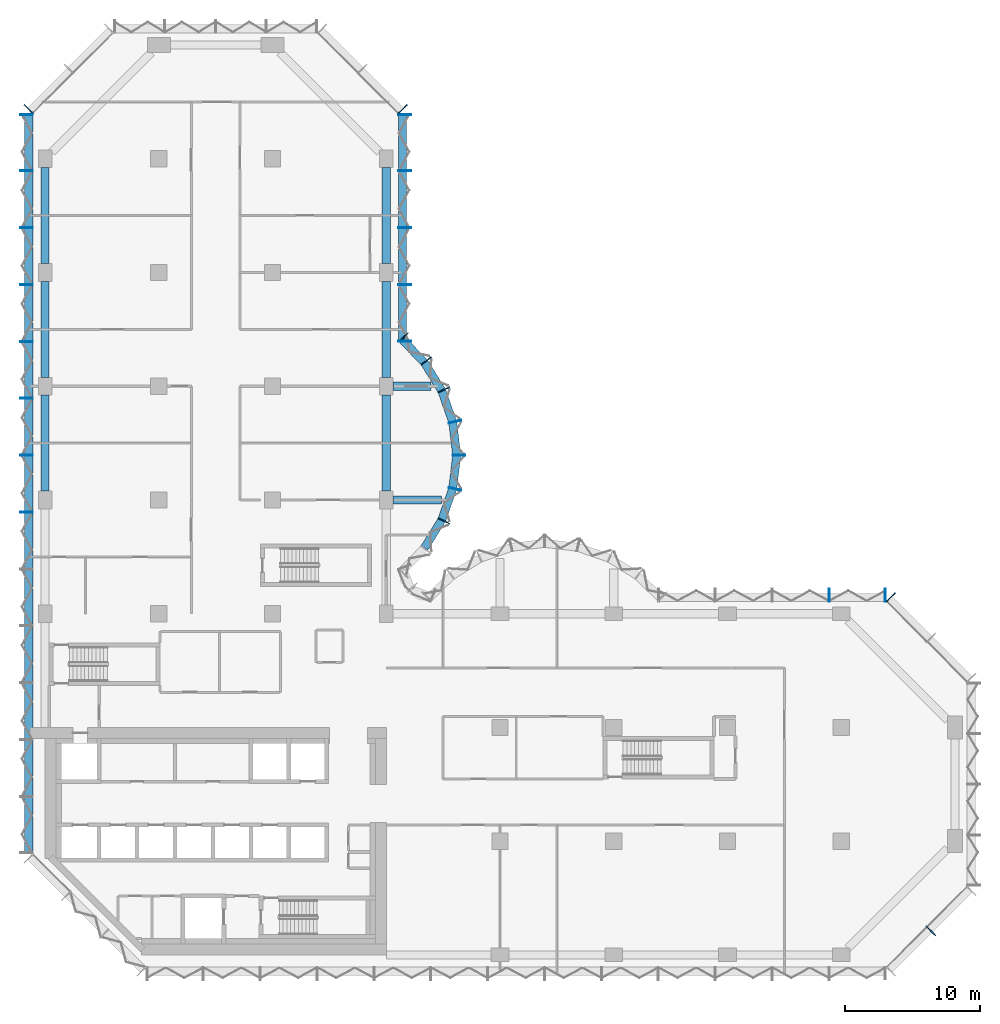
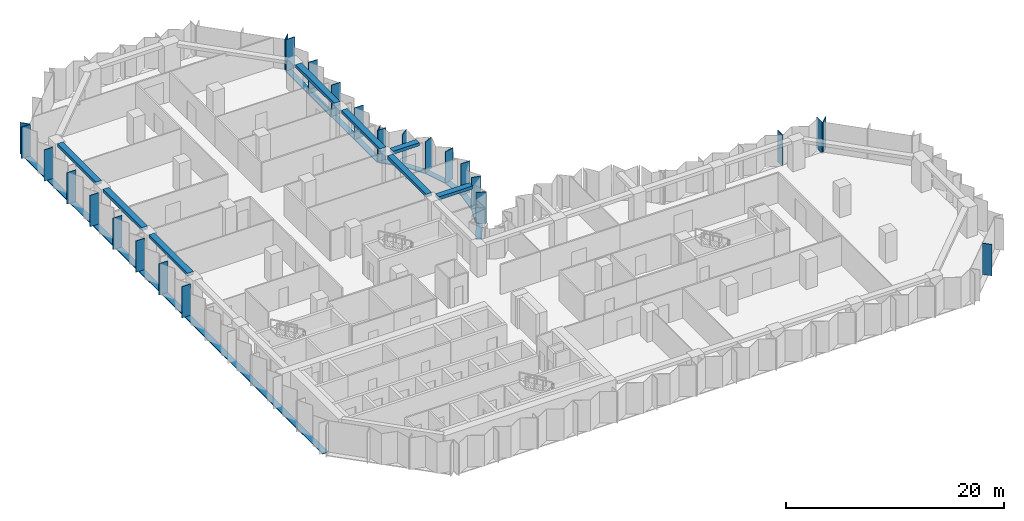
# One storey, part 3 of 13: 35 members, 8 beams, 8 elements without a shape of their own.
"""IFC4 building model written with IfcOpenShell, lengths in metres."""

from ifc_helpers import new_model, si_unit, direction, frame, origin, origin_2d, place, context, subcontext, project, spatial, rectangle, extrude, material, material_profile, profile_set, type_object, element, aggregate, save


model = new_model("IFC4")

# Units and contexts
model_context = context("Model", 3, precision=1e-05, world=origin(), true_north=direction((0.0, 1.0)))
body_context = subcontext(model_context, "Body", "Model", "MODEL_VIEW")
ifc_project = project(units=[si_unit("LENGTHUNIT", "METRE"), si_unit("AREAUNIT", "SQUARE_METRE"), si_unit("VOLUMEUNIT", "CUBIC_METRE"), si_unit("PLANEANGLEUNIT", "RADIAN"), si_unit("MASSUNIT", "GRAM", prefix="KILO")], contexts=[model_context])

# Site, building, storey
site_placement = place(None, origin())
site = spatial("IfcSite", under=ifc_project, at=site_placement, CompositionType="ELEMENT")
building_placement = place(site_placement, origin())
building = spatial("IfcBuilding", under=site, at=building_placement, Name="Brevane Broadcast Tower", CompositionType="ELEMENT")
storey_placement = place(building_placement, frame((0.0, 0.0, 95.300048828125)))
storey = spatial("IfcBuildingStorey", under=building, at=storey_placement, Name="L22", CompositionType="ELEMENT", Elevation=95.300048828125)

# Curtain wall, member
ifc_material_1 = material(Name="Aluminium 6063-T6 bronze anodised", Category="aluminium")
curtain_wall_type = type_object("IfcCurtainWallType", Name="CW-1 curtain wall", PredefinedType="NOTDEFINED", material=ifc_material_1)
curtain_wall_1_placement = place(storey_placement, origin())
curtain_wall_1 = element("IfcCurtainWall", 1, at=curtain_wall_1_placement, inside=storey, type_object=curtain_wall_type, Name="CW-1 typical tilted unit L22 south-east chamfer", PredefinedType="NOTDEFINED")
ifc_material_profile_1 = material_profile(ifc_material_1, rectangle(XDim=0.949951171875, YDim=0.070068359375, at=origin_2d()), Name="RECT 70x950")
ifc_profile_set_1 = profile_set([ifc_material_profile_1], Name="Aluminium 6063-T6 bronze anodised")
member_type_1 = type_object("IfcMemberType", Name="CW-1 mullion 70x950", PredefinedType="MULLION", material=ifc_profile_set_1)
member_1_placement = place(storey_placement, frame((65.435791015625, 1.76416015625, -0.150146484375), z_axis=(0.0, 0.0, 1.0), x_axis=(-0.707106781187, 0.707106781187, 0.0)))
member_1 = element("IfcMember", 2, at=member_1_placement, type_object=member_type_1, Name="CW-1 mullion", PredefinedType="MULLION", context=body_context, shape_type="SweptSolid", body=[
    extrude(rectangle(XDim=0.949951171875, YDim=0.070068359375, at=origin_2d()), origin(), (0.0, 0.0, 1.0), 3.5),
])
aggregate(curtain_wall_1, [member_1])

curtain_wall_2_placement = place(storey_placement, origin())
curtain_wall_2 = element("IfcCurtainWall", 3, at=curtain_wall_2_placement, inside=storey, type_object=curtain_wall_type, Name="CW-1 typical tilted unit L22 north-east chamfer", PredefinedType="NOTDEFINED")
member_2_placement = place(storey_placement, frame((62.460693359375, 26.4111328125, -0.150146484375), z_axis=(0.0, 0.0, 1.0), x_axis=(-0.707106781187, -0.707106781187, 0.0)))
member_2 = element("IfcMember", 4, at=member_2_placement, type_object=member_type_1, Name="CW-1 mullion", PredefinedType="MULLION", context=body_context, shape_type="SweptSolid", body=[
    extrude(rectangle(XDim=0.949951171875, YDim=0.070068359375, at=origin_2d()), origin(), (0.0, 0.0, 1.0), 3.5),
])
aggregate(curtain_wall_2, [member_2])

# Curtain wall, members
curtain_wall_3_placement = place(storey_placement, origin())
curtain_wall_3 = element("IfcCurtainWall", 5, at=curtain_wall_3_placement, inside=storey, type_object=curtain_wall_type, Name="CW-1 typical tilted unit L22 east arm north face", PredefinedType="NOTDEFINED")
member_3_placement = place(storey_placement, frame((62.06494140625, 26.574951171875, -0.150146484375), z_axis=(0.0, 0.0, 1.0), x_axis=(0.0, -1.0, 0.0)))
member_3 = element("IfcMember", 6, at=member_3_placement, type_object=member_type_1, Name="CW-1 mullion", PredefinedType="MULLION", context=body_context, shape_type="SweptSolid", body=[
    extrude(rectangle(XDim=0.949951171875, YDim=0.070068359375, at=origin_2d()), origin(), (0.0, 0.0, 1.0), 3.5),
])
member_4_placement = place(storey_placement, frame((57.89990234375, 26.574951171875, -0.150146484375), z_axis=(0.0, 0.0, 1.0), x_axis=(0.0, -1.0, 0.0)))
member_4 = element("IfcMember", 7, at=member_4_placement, type_object=member_type_1, Name="CW-1 mullion", PredefinedType="MULLION", context=body_context, shape_type="SweptSolid", body=[
    extrude(rectangle(XDim=0.949951171875, YDim=0.070068359375, at=origin_2d()), origin(), (0.0, 0.0, 1.0), 3.5),
])
aggregate(curtain_wall_3, [member_3, member_4])

curtain_wall_4_placement = place(storey_placement, origin())
curtain_wall_4 = element("IfcCurtainWall", 8, at=curtain_wall_4_placement, inside=storey, type_object=curtain_wall_type, Name="CW-1 typical tilted unit L22 north bow", PredefinedType="NOTDEFINED")
member_5_placement = place(storey_placement, frame((29.4580078125, 32.05322265625, -0.150146484375), z_axis=(0.0, 0.0, 1.0), x_axis=(-0.902860508933, 0.429933601163, 0.0)))
member_5 = element("IfcMember", 9, at=member_5_placement, type_object=member_type_1, Name="CW-1 mullion", PredefinedType="MULLION", context=body_context, shape_type="SweptSolid", body=[
    extrude(rectangle(XDim=0.949951171875, YDim=0.070068359375, at=origin_2d()), origin(), (0.0, 0.0, 1.0), 3.5),
])
member_6_placement = place(storey_placement, frame((30.28076171875, 34.411865234375, -0.150146484375), z_axis=(0.0, 0.0, 1.0), x_axis=(-0.974403430594, 0.224806482215, 0.0)))
member_6 = element("IfcMember", 10, at=member_6_placement, type_object=member_type_1, Name="CW-1 mullion", PredefinedType="MULLION", context=body_context, shape_type="SweptSolid", body=[
    extrude(rectangle(XDim=0.949951171875, YDim=0.070068359375, at=origin_2d()), origin(), (0.0, 0.0, 1.0), 3.5),
])
member_7_placement = place(storey_placement, frame((30.574951171875, 36.89990234375, -0.150146484375), z_axis=(0.0, 0.0, 1.0), x_axis=(-1.0, 0.0, 0.0)))
member_7 = element("IfcMember", 11, at=member_7_placement, type_object=member_type_1, Name="CW-1 mullion", PredefinedType="MULLION", context=body_context, shape_type="SweptSolid", body=[
    extrude(rectangle(XDim=0.949951171875, YDim=0.070068359375, at=origin_2d()), origin(), (0.0, 0.0, 1.0), 3.5),
])
member_8_placement = place(storey_placement, frame((30.28076171875, 39.38818359375, -0.150146484375), z_axis=(0.0, 0.0, 1.0), x_axis=(-0.974403430594, -0.224806482215, 0.0)))
member_8 = element("IfcMember", 12, at=member_8_placement, type_object=member_type_1, Name="CW-1 mullion", PredefinedType="MULLION", context=body_context, shape_type="SweptSolid", body=[
    extrude(rectangle(XDim=0.949951171875, YDim=0.070068359375, at=origin_2d()), origin(), (0.0, 0.0, 1.0), 3.5),
])
member_9_placement = place(storey_placement, frame((29.4580078125, 41.746826171875, -0.150146484375), z_axis=(0.0, 0.0, 1.0), x_axis=(-0.902860508933, -0.429933601163, 0.0)))
member_9 = element("IfcMember", 13, at=member_9_placement, type_object=member_type_1, Name="CW-1 mullion", PredefinedType="MULLION", context=body_context, shape_type="SweptSolid", body=[
    extrude(rectangle(XDim=0.949951171875, YDim=0.070068359375, at=origin_2d()), origin(), (0.0, 0.0, 1.0), 3.5),
])
member_10_placement = place(storey_placement, frame((28.1455078125, 43.8720703125, -0.150146484375), z_axis=(0.0, 0.0, 1.0), x_axis=(-0.788706642853, -0.614769738617, 0.0)))
member_10 = element("IfcMember", 14, at=member_10_placement, type_object=member_type_1, Name="CW-1 mullion", PredefinedType="MULLION", context=body_context, shape_type="SweptSolid", body=[
    extrude(rectangle(XDim=0.949951171875, YDim=0.070068359375, at=origin_2d()), origin(), (0.0, 0.0, 1.0), 3.5),
])
member_11_placement = place(storey_placement, frame((26.465087890625, 45.60595703125, -0.150146484375), z_axis=(0.0, 0.0, 1.0), x_axis=(-0.717253872699, -0.696811941702, 0.0)))
member_11 = element("IfcMember", 15, at=member_11_placement, type_object=member_type_1, Name="CW-1 mullion", PredefinedType="MULLION", context=body_context, shape_type="SweptSolid", body=[
    extrude(rectangle(XDim=0.949951171875, YDim=0.070068359375, at=origin_2d()), origin(), (0.0, 0.0, 1.0), 3.5),
])

curtain_wall_5_placement = place(storey_placement, origin())
curtain_wall_5 = element("IfcCurtainWall", 16, at=curtain_wall_5_placement, inside=storey, type_object=curtain_wall_type, Name="CW-1 typical tilted unit L22 north arm east face", PredefinedType="NOTDEFINED")
member_12_placement = place(storey_placement, frame((26.574951171875, 45.3349609375, -0.150146484375), z_axis=(0.0, 0.0, 1.0), x_axis=(-1.0, 0.0, 0.0)))
member_12 = element("IfcMember", 17, at=member_12_placement, type_object=member_type_1, Name="CW-1 mullion", PredefinedType="MULLION", context=body_context, shape_type="SweptSolid", body=[
    extrude(rectangle(XDim=0.949951171875, YDim=0.070068359375, at=origin_2d()), origin(), (0.0, 0.0, 1.0), 3.5),
])
member_13_placement = place(storey_placement, frame((26.574951171875, 49.5, -0.150146484375), z_axis=(0.0, 0.0, 1.0), x_axis=(-1.0, 0.0, 0.0)))
member_13 = element("IfcMember", 18, at=member_13_placement, type_object=member_type_1, Name="CW-1 mullion", PredefinedType="MULLION", context=body_context, shape_type="SweptSolid", body=[
    extrude(rectangle(XDim=0.949951171875, YDim=0.070068359375, at=origin_2d()), origin(), (0.0, 0.0, 1.0), 3.5),
])
member_14_placement = place(storey_placement, frame((26.574951171875, 53.699951171875, -0.150146484375), z_axis=(0.0, 0.0, 1.0), x_axis=(-1.0, 0.0, 0.0)))
member_14 = element("IfcMember", 19, at=member_14_placement, type_object=member_type_1, Name="CW-1 mullion", PredefinedType="MULLION", context=body_context, shape_type="SweptSolid", body=[
    extrude(rectangle(XDim=0.949951171875, YDim=0.070068359375, at=origin_2d()), origin(), (0.0, 0.0, 1.0), 3.5),
])
member_15_placement = place(storey_placement, frame((26.574951171875, 57.89990234375, -0.150146484375), z_axis=(0.0, 0.0, 1.0), x_axis=(-1.0, 0.0, 0.0)))
member_15 = element("IfcMember", 20, at=member_15_placement, type_object=member_type_1, Name="CW-1 mullion", PredefinedType="MULLION", context=body_context, shape_type="SweptSolid", body=[
    extrude(rectangle(XDim=0.949951171875, YDim=0.070068359375, at=origin_2d()), origin(), (0.0, 0.0, 1.0), 3.5),
])
member_16_placement = place(storey_placement, frame((26.574951171875, 62.06494140625, -0.150146484375), z_axis=(0.0, 0.0, 1.0), x_axis=(-1.0, 0.0, 0.0)))
member_16 = element("IfcMember", 21, at=member_16_placement, type_object=member_type_1, Name="CW-1 mullion", PredefinedType="MULLION", context=body_context, shape_type="SweptSolid", body=[
    extrude(rectangle(XDim=0.949951171875, YDim=0.070068359375, at=origin_2d()), origin(), (0.0, 0.0, 1.0), 3.5),
])

# Curtain wall, member
curtain_wall_6_placement = place(storey_placement, origin())
curtain_wall_6 = element("IfcCurtainWall", 22, at=curtain_wall_6_placement, inside=storey, type_object=curtain_wall_type, Name="CW-1 typical tilted unit L22 north arm north-east chamfer", PredefinedType="NOTDEFINED")
member_17_placement = place(storey_placement, frame((26.4111328125, 62.460693359375, -0.150146484375), z_axis=(0.0, 0.0, 1.0), x_axis=(-0.707106781187, -0.707106781187, 0.0)))
member_17 = element("IfcMember", 23, at=member_17_placement, type_object=member_type_1, Name="CW-1 mullion", PredefinedType="MULLION", context=body_context, shape_type="SweptSolid", body=[
    extrude(rectangle(XDim=0.949951171875, YDim=0.070068359375, at=origin_2d()), origin(), (0.0, 0.0, 1.0), 3.5),
])
aggregate(curtain_wall_6, [member_17])

curtain_wall_7_placement = place(storey_placement, origin())
curtain_wall_7 = element("IfcCurtainWall", 24, at=curtain_wall_7_placement, inside=storey, type_object=curtain_wall_type, Name="CW-1 typical tilted unit L22 north-west chamfer", PredefinedType="NOTDEFINED")
member_18_placement = place(storey_placement, frame((-1.211181640625, 62.460693359375, -0.150146484375), z_axis=(0.0, 0.0, 1.0), x_axis=(0.707106781187, -0.707106781187, 0.0)))
member_18 = element("IfcMember", 25, at=member_18_placement, type_object=member_type_1, Name="CW-1 mullion", PredefinedType="MULLION", context=body_context, shape_type="SweptSolid", body=[
    extrude(rectangle(XDim=0.949951171875, YDim=0.070068359375, at=origin_2d()), origin(), (0.0, 0.0, 1.0), 3.5),
])
aggregate(curtain_wall_7, [member_18])

# Curtain wall, members
curtain_wall_8_placement = place(storey_placement, origin())
curtain_wall_8 = element("IfcCurtainWall", 26, at=curtain_wall_8_placement, inside=storey, type_object=curtain_wall_type, Name="CW-1 typical tilted unit L22 west face", PredefinedType="NOTDEFINED")
member_19_placement = place(storey_placement, frame((-1.375, 62.06494140625, -0.150146484375), z_axis=(0.0, 0.0, 1.0), x_axis=(1.0, 0.0, 0.0)))
member_19 = element("IfcMember", 27, at=member_19_placement, type_object=member_type_1, Name="CW-1 mullion", PredefinedType="MULLION", context=body_context, shape_type="SweptSolid", body=[
    extrude(rectangle(XDim=0.949951171875, YDim=0.070068359375, at=origin_2d()), origin(), (0.0, 0.0, 1.0), 3.5),
])
member_20_placement = place(storey_placement, frame((-1.375, 57.89990234375, -0.150146484375), z_axis=(0.0, 0.0, 1.0), x_axis=(1.0, 0.0, 0.0)))
member_20 = element("IfcMember", 28, at=member_20_placement, type_object=member_type_1, Name="CW-1 mullion", PredefinedType="MULLION", context=body_context, shape_type="SweptSolid", body=[
    extrude(rectangle(XDim=0.949951171875, YDim=0.070068359375, at=origin_2d()), origin(), (0.0, 0.0, 1.0), 3.5),
])
member_21_placement = place(storey_placement, frame((-1.375, 53.699951171875, -0.150146484375), z_axis=(0.0, 0.0, 1.0), x_axis=(1.0, 0.0, 0.0)))
member_21 = element("IfcMember", 29, at=member_21_placement, type_object=member_type_1, Name="CW-1 mullion", PredefinedType="MULLION", context=body_context, shape_type="SweptSolid", body=[
    extrude(rectangle(XDim=0.949951171875, YDim=0.070068359375, at=origin_2d()), origin(), (0.0, 0.0, 1.0), 3.5),
])
member_22_placement = place(storey_placement, frame((-1.375, 49.5, -0.150146484375), z_axis=(0.0, 0.0, 1.0), x_axis=(1.0, 0.0, 0.0)))
member_22 = element("IfcMember", 30, at=member_22_placement, type_object=member_type_1, Name="CW-1 mullion", PredefinedType="MULLION", context=body_context, shape_type="SweptSolid", body=[
    extrude(rectangle(XDim=0.949951171875, YDim=0.070068359375, at=origin_2d()), origin(), (0.0, 0.0, 1.0), 3.5),
])
member_23_placement = place(storey_placement, frame((-1.375, 45.300048828125, -0.150146484375), z_axis=(0.0, 0.0, 1.0), x_axis=(1.0, 0.0, 0.0)))
member_23 = element("IfcMember", 31, at=member_23_placement, type_object=member_type_1, Name="CW-1 mullion", PredefinedType="MULLION", context=body_context, shape_type="SweptSolid", body=[
    extrude(rectangle(XDim=0.949951171875, YDim=0.070068359375, at=origin_2d()), origin(), (0.0, 0.0, 1.0), 3.5),
])
member_24_placement = place(storey_placement, frame((-1.375, 41.10009765625, -0.150146484375), z_axis=(0.0, 0.0, 1.0), x_axis=(1.0, 0.0, 0.0)))
member_24 = element("IfcMember", 32, at=member_24_placement, type_object=member_type_1, Name="CW-1 mullion", PredefinedType="MULLION", context=body_context, shape_type="SweptSolid", body=[
    extrude(rectangle(XDim=0.949951171875, YDim=0.070068359375, at=origin_2d()), origin(), (0.0, 0.0, 1.0), 3.5),
])
member_25_placement = place(storey_placement, frame((-1.375, 36.89990234375, -0.150146484375), z_axis=(0.0, 0.0, 1.0), x_axis=(1.0, 0.0, 0.0)))
member_25 = element("IfcMember", 33, at=member_25_placement, type_object=member_type_1, Name="CW-1 mullion", PredefinedType="MULLION", context=body_context, shape_type="SweptSolid", body=[
    extrude(rectangle(XDim=0.949951171875, YDim=0.070068359375, at=origin_2d()), origin(), (0.0, 0.0, 1.0), 3.5),
])
member_26_placement = place(storey_placement, frame((-1.375, 32.699951171875, -0.150146484375), z_axis=(0.0, 0.0, 1.0), x_axis=(1.0, 0.0, 0.0)))
member_26 = element("IfcMember", 34, at=member_26_placement, type_object=member_type_1, Name="CW-1 mullion", PredefinedType="MULLION", context=body_context, shape_type="SweptSolid", body=[
    extrude(rectangle(XDim=0.949951171875, YDim=0.070068359375, at=origin_2d()), origin(), (0.0, 0.0, 1.0), 3.5),
])

# Member
ifc_material_profile_2 = material_profile(ifc_material_1, rectangle(XDim=0.60009765625, YDim=0.10009765625, at=origin_2d()), Name="RECT 100x600")
ifc_profile_set_2 = profile_set([ifc_material_profile_2], Name="Aluminium 6063-T6 bronze anodised")
member_type_2 = type_object("IfcMemberType", Name="CW-1 transom 100x600", PredefinedType="USERDEFINED", material=ifc_profile_set_2)
member_27_placement = place(storey_placement, frame((28.023193359375, 30.0576171875, -0.199951171875), z_axis=(0.525427766759, 0.850838211365, 0.0), x_axis=(-0.850838211365, 0.525427766759, 0.0)))
member_27 = element("IfcMember", 35, at=member_27_placement, type_object=member_type_2, Name="CW-1 transom", ObjectType="TRANSOM", PredefinedType="USERDEFINED", context=body_context, shape_type="SweptSolid", body=[
    extrude(rectangle(XDim=0.60009765625, YDim=0.10009765625, at=origin_2d()), origin(), (0.0, 0.0, 1.0), 2.394775390625),
])

member_28_placement = place(storey_placement, frame((29.314208984375, 32.163818359375, -0.199951171875), z_axis=(0.329378497041, 0.944197969542, 0.0), x_axis=(-0.944197969542, 0.329378497041, 0.0)))
member_28 = element("IfcMember", 36, at=member_28_placement, type_object=member_type_2, Name="CW-1 transom", ObjectType="TRANSOM", PredefinedType="USERDEFINED", context=body_context, shape_type="SweptSolid", body=[
    extrude(rectangle(XDim=0.60009765625, YDim=0.10009765625, at=origin_2d()), origin(), (0.0, 0.0, 1.0), 2.394775390625),
])

member_29_placement = place(storey_placement, frame((30.117431640625, 34.499755859375, -0.199951171875), z_axis=(0.117603307202, 0.993060653805, 0.0), x_axis=(-0.993060653805, 0.117603307202, 0.0)))
member_29 = element("IfcMember", 37, at=member_29_placement, type_object=member_type_2, Name="CW-1 transom", ObjectType="TRANSOM", PredefinedType="USERDEFINED", context=body_context, shape_type="SweptSolid", body=[
    extrude(rectangle(XDim=0.60009765625, YDim=0.10009765625, at=origin_2d()), origin(), (0.0, 0.0, 1.0), 2.397705078125),
])

member_30_placement = place(storey_placement, frame((30.3994140625, 36.9189453125, -0.199951171875), z_axis=(-0.117591417, 0.993062061831, 0.0), x_axis=(-0.993062061831, -0.117591417, 0.0)))
member_30 = element("IfcMember", 38, at=member_30_placement, type_object=member_type_2, Name="CW-1 transom", ObjectType="TRANSOM", PredefinedType="USERDEFINED", context=body_context, shape_type="SweptSolid", body=[
    extrude(rectangle(XDim=0.60009765625, YDim=0.10009765625, at=origin_2d()), origin(), (0.0, 0.0, 1.0), 2.39794921875),
])

member_31_placement = place(storey_placement, frame((30.10302734375, 39.375, -0.199951171875), z_axis=(-0.329378497041, 0.944197969542, 0.0), x_axis=(-0.944197969542, -0.329378497041, 0.0)))
member_31 = element("IfcMember", 39, at=member_31_placement, type_object=member_type_2, Name="CW-1 transom", ObjectType="TRANSOM", PredefinedType="USERDEFINED", context=body_context, shape_type="SweptSolid", body=[
    extrude(rectangle(XDim=0.60009765625, YDim=0.10009765625, at=origin_2d()), origin(), (0.0, 0.0, 1.0), 2.394775390625),
])

member_32_placement = place(storey_placement, frame((29.281494140625, 41.704833984375, -0.199951171875), z_axis=(-0.525473345162, 0.850810063131, 0.0), x_axis=(-0.850810063131, -0.525473345162, 0.0)))
member_32 = element("IfcMember", 40, at=member_32_placement, type_object=member_type_2, Name="CW-1 transom", ObjectType="TRANSOM", PredefinedType="USERDEFINED", context=body_context, shape_type="SweptSolid", body=[
    extrude(rectangle(XDim=0.60009765625, YDim=0.10009765625, at=origin_2d()), origin(), (0.0, 0.0, 1.0), 2.39453125),
])

member_33_placement = place(storey_placement, frame((27.974365234375, 43.800537109375, -0.199951171875), z_axis=(-0.696823999134, 0.71724215871, 0.0), x_axis=(-0.71724215871, -0.696823999134, 0.0)))
member_33 = element("IfcMember", 41, at=member_33_placement, type_object=member_type_2, Name="CW-1 transom", ObjectType="TRANSOM", PredefinedType="USERDEFINED", context=body_context, shape_type="SweptSolid", body=[
    extrude(rectangle(XDim=0.60009765625, YDim=0.10009765625, at=origin_2d()), origin(), (0.0, 0.0, 1.0), 2.247802734375),
])

aggregate(curtain_wall_4, [member_5, member_6, member_7, member_8, member_9, member_10, member_11, member_27, member_28, member_29, member_30, member_31, member_32, member_33])

member_34_placement = place(storey_placement, frame((26.39990234375, 45.300048828125, -0.199951171875), z_axis=(0.0, 1.0, 0.0), x_axis=(-1.0, 0.0, 0.0)))
member_34 = element("IfcMember", 42, at=member_34_placement, type_object=member_type_2, Name="CW-1 transom", ObjectType="TRANSOM", PredefinedType="USERDEFINED", context=body_context, shape_type="SweptSolid", body=[
    extrude(rectangle(XDim=0.60009765625, YDim=0.10009765625, at=origin_2d()), origin(), (0.0, 0.0, 1.0), 16.800048828125),
])

aggregate(curtain_wall_5, [member_12, member_13, member_14, member_15, member_16, member_34])

member_35_placement = place(storey_placement, frame((-1.199951171875, 62.10009765625, -0.199951171875), z_axis=(0.0, -1.0, 0.0), x_axis=(1.0, 0.0, 0.0)))
member_35 = element("IfcMember", 43, at=member_35_placement, type_object=member_type_2, Name="CW-1 transom", ObjectType="TRANSOM", PredefinedType="USERDEFINED", context=body_context, shape_type="SweptSolid", body=[
    extrude(rectangle(XDim=0.60009765625, YDim=0.10009765625, at=origin_2d()), origin(), (0.0, 0.0, 1.0), 54.60009765625),
])

aggregate(curtain_wall_8, [member_19, member_20, member_21, member_22, member_23, member_24, member_25, member_26, member_35])

# Beams
ifc_material_2 = material(Name="Concrete C40/50", Category="concrete")
ifc_material_profile_3 = material_profile(ifc_material_2, rectangle(XDim=0.60009765625, YDim=0.35009765625, at=origin_2d()), Name="RC 600x350")
ifc_profile_set_3 = profile_set([ifc_material_profile_3], Name="Concrete C40/50")
beam_type_1 = type_object("IfcBeamType", Name="RC BRACKET BEAM 600x350 C40/50", PredefinedType="BEAM", material=ifc_profile_set_3)
beam_1_placement = place(storey_placement, frame((25.699951171875, 33.60009765625, 3.175048828125), z_axis=(1.0, 0.0, 0.0), x_axis=(0.0, 1.0, 0.0)))
element("IfcBeam", 44, at=beam_1_placement, inside=storey, type_object=beam_type_1, Name="EB2 L22-1", PredefinedType="BEAM", context=body_context, shape_type="SweptSolid", body=[
    extrude(rectangle(XDim=0.60009765625, YDim=0.35009765625, at=origin_2d()), origin(), (0.0, 0.0, 1.0), 3.56201171875),
])
beam_2_placement = place(storey_placement, frame((25.699951171875, 42.0, 3.175048828125), z_axis=(1.0, 0.0, 0.0), x_axis=(0.0, 1.0, 0.0)))
element("IfcBeam", 45, at=beam_2_placement, inside=storey, type_object=beam_type_1, Name="EB2 L22-2", PredefinedType="BEAM", context=body_context, shape_type="SweptSolid", body=[
    extrude(rectangle(XDim=0.60009765625, YDim=0.35009765625, at=origin_2d()), origin(), (0.0, 0.0, 1.0), 2.8115234375),
])
ifc_material_profile_4 = material_profile(ifc_material_2, rectangle(XDim=0.60009765625, YDim=0.35009765625, at=origin_2d()), Name="RC 600x350")
ifc_profile_set_4 = profile_set([ifc_material_profile_4], Name="Concrete C40/50")
beam_type_2 = type_object("IfcBeamType", Name="RC SPANDREL BEAM 600x350 C40/50", PredefinedType="SPANDREL", material=ifc_profile_set_4)
for number, where, z_axis, x_axis, name in (
    (46, (25.199951171875, 34.25, 3.175048828125), (0.0, 1.0, 0.0), (-1.0, 0.0, 0.0), "EB1 L22-13"),
    (47, (25.199951171875, 42.64990234375, 3.175048828125), (0.0, 1.0, 0.0), (-1.0, 0.0, 0.0), "EB1 L22-14"),
):
    element("IfcBeam", number, at=place(storey_placement, frame(where, z_axis=z_axis, x_axis=x_axis)), inside=storey, type_object=beam_type_2, Name=name, PredefinedType="SPANDREL", context=body_context, shape_type="SweptSolid", body=[
        extrude(rectangle(XDim=0.60009765625, YDim=0.35009765625, at=origin_2d()), origin(), (0.0, 0.0, 1.0), 7.10009765625),
    ])
for number, where, z_axis, x_axis, name in (
    (48, (25.199951171875, 51.050048828125, 3.175048828125), (0.0, 1.0, 0.0), (-1.0, 0.0, 0.0), "EB1 L22-15"),
    (49, (0.0, 58.14990234375, 3.175048828125), (0.0, -1.0, 0.0), (1.0, 0.0, 0.0), "EB1 L22-19"),
):
    element("IfcBeam", number, at=place(storey_placement, frame(where, z_axis=z_axis, x_axis=x_axis)), inside=storey, type_object=beam_type_2, Name=name, PredefinedType="SPANDREL", context=body_context, shape_type="SweptSolid", body=[
        extrude(rectangle(XDim=0.60009765625, YDim=0.35009765625, at=origin_2d()), origin(), (0.0, 0.0, 1.0), 7.099853515625),
    ])
for number, where, z_axis, x_axis, name in (
    (50, (0.0, 49.75, 3.175048828125), (0.0, -1.0, 0.0), (1.0, 0.0, 0.0), "EB1 L22-20"),
    (51, (0.0, 41.35009765625, 3.175048828125), (0.0, -1.0, 0.0), (1.0, 0.0, 0.0), "EB1 L22-21"),
):
    element("IfcBeam", number, at=place(storey_placement, frame(where, z_axis=z_axis, x_axis=x_axis)), inside=storey, type_object=beam_type_2, Name=name, PredefinedType="SPANDREL", context=body_context, shape_type="SweptSolid", body=[
        extrude(rectangle(XDim=0.60009765625, YDim=0.35009765625, at=origin_2d()), origin(), (0.0, 0.0, 1.0), 7.10009765625),
    ])

save(model, "model.ifc")
